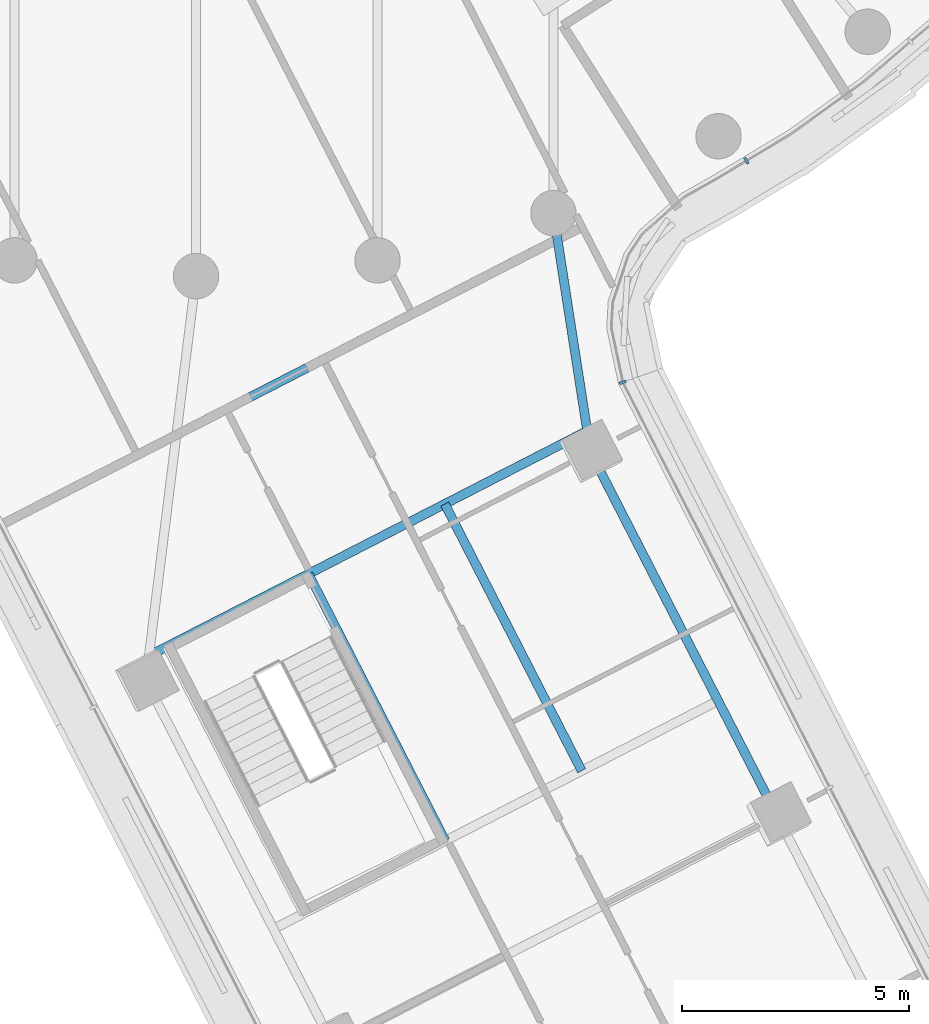
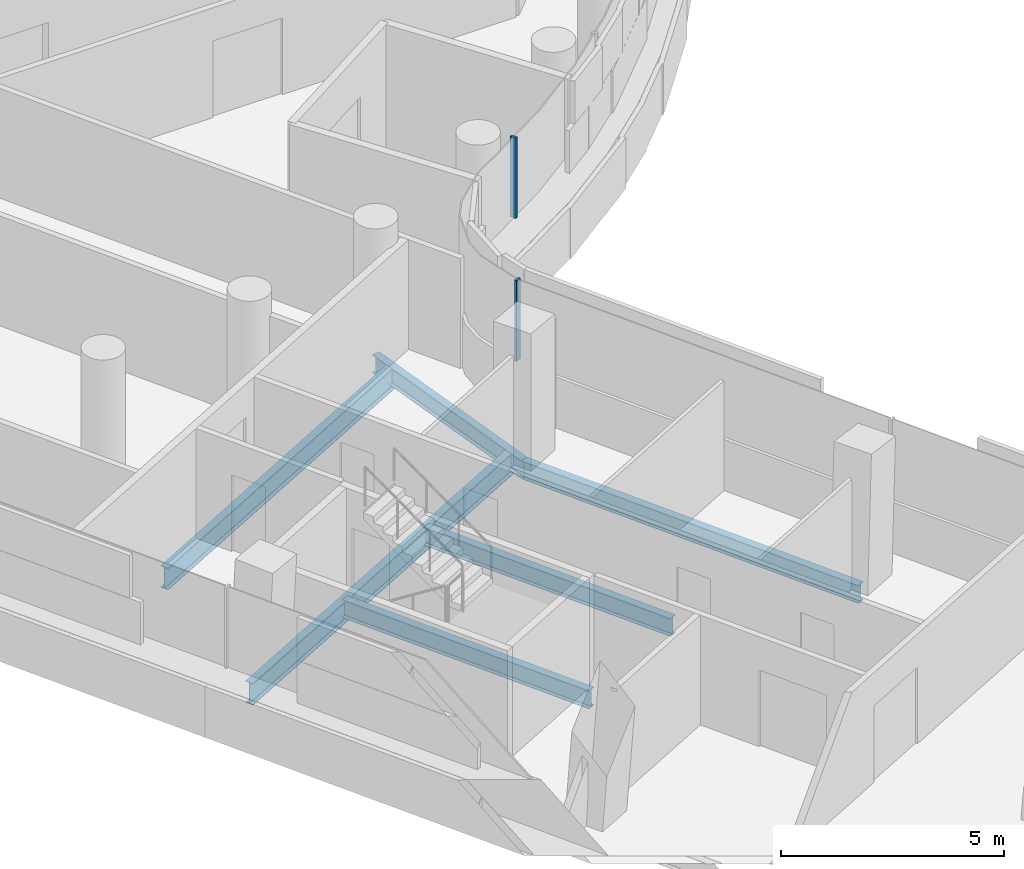
# One storey, part 6 of 37: 6 beams, 2 members, 1 element without a shape of its own.
"""IFC4 building model written with IfcOpenShell, lengths in metres."""

from ifc_helpers import new_model, si_unit, direction, frame, origin, origin_2d, place, context, subcontext, project, spatial, rectangle, i_section, extrude, material, layer, layer_set, material_profile, profile_set, type_object, element, aggregate, save


model = new_model("IFC4")

# Units and contexts
model_context = context("Model", 3, precision=1e-05, world=origin(), true_north=direction((0.0, 1.0)))
body_context = subcontext(model_context, "Body", "Model", "MODEL_VIEW")
ifc_project = project(units=[si_unit("LENGTHUNIT", "METRE"), si_unit("AREAUNIT", "SQUARE_METRE"), si_unit("VOLUMEUNIT", "CUBIC_METRE"), si_unit("PLANEANGLEUNIT", "RADIAN"), si_unit("MASSUNIT", "GRAM", prefix="KILO")], contexts=[model_context])

# Site, building, storey
site_placement = place(None, origin())
site = spatial("IfcSite", under=ifc_project, at=site_placement, CompositionType="ELEMENT")
building_placement = place(site_placement, origin())
building = spatial("IfcBuilding", under=site, at=building_placement, Name="Tamarind Cross Interchange Tower", CompositionType="ELEMENT")
storey_placement = place(building_placement, frame((0.0, 0.0, 133.0)))
storey = spatial("IfcBuildingStorey", under=building, at=storey_placement, Name="L32", CompositionType="ELEMENT", Elevation=133.0)

# Beams
ifc_material_1 = material(Name="Steel Q355B", Category="steel")
ifc_material_profile_1 = material_profile(ifc_material_1, i_section(OverallWidth=0.198974609375, OverallDepth=0.49609375, WebThickness=0.009033203125, FlangeThickness=0.013916015625, FilletRadius=0.012939453125, at=origin_2d()), Name="HN 496x199x9x14")
ifc_profile_set_1 = profile_set([ifc_material_profile_1], Name="Steel Q355B")
beam_type_1 = type_object("IfcBeamType", Name="Composite beam HN 496x199x9x14 Q355B", PredefinedType="BEAM", material=ifc_profile_set_1)
beam_1_placement = place(storey_placement, frame((12.791748046875, -34.880615234375, -0.387939453125), z_axis=(-0.456574921122, 0.889684967504, 0.0), x_axis=(-0.889684967504, -0.456574921122, 0.0)))
element("IfcBeam", 1, at=beam_1_placement, inside=storey, type_object=beam_type_1, Name="Beam S-edgeep3", PredefinedType="BEAM", context=body_context, shape_type="SweptSolid", body=[
    extrude(i_section(OverallWidth=0.198974609375, OverallDepth=0.49609375, WebThickness=0.009033203125, FlangeThickness=0.013916015625, FilletRadius=0.012939453125, at=origin_2d()), origin(), (0.0, 0.0, 1.0), 9.0),
])
beam_2_placement = place(storey_placement, frame((8.6826171875, -26.87353515625, -0.387939453125), z_axis=(-0.153314938206, 0.988177377662, 0.0), x_axis=(-0.988177377662, -0.153314938206, 0.0)))
element("IfcBeam", 2, at=beam_2_placement, inside=storey, type_object=beam_type_1, Name="Beam S-linkep", PredefinedType="BEAM", context=body_context, shape_type="SweptSolid", body=[
    extrude(i_section(OverallWidth=0.198974609375, OverallDepth=0.49609375, WebThickness=0.009033203125, FlangeThickness=0.013916015625, FilletRadius=0.012939453125, at=origin_2d()), origin(), (0.0, 0.0, 1.0), 5.323486328125),
])
beam_3_placement = place(storey_placement, frame((2.471923828125, -29.554931640625, -0.387939453125), z_axis=(0.456555452073, -0.889694958501, 0.0), x_axis=(0.889694958501, 0.456555452073, 0.0)))
element("IfcBeam", 3, at=beam_3_placement, inside=storey, type_object=beam_type_1, Name="Beam S-tr1", PredefinedType="BEAM", context=body_context, shape_type="SweptSolid", body=[
    extrude(i_section(OverallWidth=0.198974609375, OverallDepth=0.49609375, WebThickness=0.009033203125, FlangeThickness=0.013916015625, FilletRadius=0.012939453125, at=origin_2d()), origin(), (0.0, 0.0, 1.0), 6.599853515625),
])
beam_4_placement = place(storey_placement, frame((5.474609375, -28.013916015625, -0.387939453125), z_axis=(0.456540426528, -0.889702668843, 0.0), x_axis=(0.889702668843, 0.456540426528, 0.0)))
element("IfcBeam", 4, at=beam_4_placement, inside=storey, type_object=beam_type_1, Name="Beam S-stripp", PredefinedType="BEAM", context=body_context, shape_type="SweptSolid", body=[
    extrude(i_section(OverallWidth=0.198974609375, OverallDepth=0.49609375, WebThickness=0.009033203125, FlangeThickness=0.013916015625, FilletRadius=0.012939453125, at=origin_2d()), origin(), (0.0, 0.0, 1.0), 6.60009765625),
])
ifc_material_profile_2 = material_profile(ifc_material_1, i_section(OverallWidth=0.199951171875, OverallDepth=0.60009765625, WebThickness=0.010986328125, FlangeThickness=0.01708984375, FilletRadius=0.012939453125, at=origin_2d()), Name="HN 600x200x11x17")
ifc_profile_set_2 = profile_set([ifc_material_profile_2], Name="Steel Q355B")
beam_type_2 = type_object("IfcBeamType", Name="Composite beam HN 600x200x11x17 Q355B", PredefinedType="BEAM", material=ifc_profile_set_2)
beam_5_placement = place(storey_placement, frame((-1.036865234375, -31.355224609375, -0.43994140625), z_axis=(0.889703975373, 0.456537880363, 0.0), x_axis=(-0.456537880363, 0.889703975373, 0.0)))
element("IfcBeam", 5, at=beam_5_placement, inside=storey, type_object=beam_type_2, Name="Beam S-x298", PredefinedType="BEAM", context=body_context, shape_type="SweptSolid", body=[
    extrude(i_section(OverallWidth=0.199951171875, OverallDepth=0.60009765625, WebThickness=0.010986328125, FlangeThickness=0.01708984375, FilletRadius=0.012939453125, at=origin_2d()), origin(), (0.0, 0.0, 1.0), 10.843017578125),
])
beam_6_placement = place(storey_placement, frame((-0.43359375, -26.49365234375, -0.43994140625), z_axis=(0.88969181538, 0.456561577057, 0.0), x_axis=(-0.456561577057, 0.88969181538, 0.0)))
element("IfcBeam", 6, at=beam_6_placement, inside=storey, type_object=beam_type_2, Name="Beam S-x258", PredefinedType="BEAM", context=body_context, shape_type="SweptSolid", body=[
    extrude(i_section(OverallWidth=0.199951171875, OverallDepth=0.60009765625, WebThickness=0.010986328125, FlangeThickness=0.01708984375, FilletRadius=0.012939453125, at=origin_2d()), origin(), (0.0, 0.0, 1.0), 9.429443359375),
])

# Curtain wall, members
ifc_material_2 = material(Name="Aluminium 6063-T6", Category="aluminium")
ifc_layer = layer(ifc_material_2, 0.14990234375)
ifc_layer_set = layer_set([ifc_layer], Name="Aluminium 6063-T6")
curtain_wall_type = type_object("IfcCurtainWallType", Name="Winter garden and crown curtain wall", PredefinedType="NOTDEFINED", material=ifc_layer_set)
curtain_wall_placement = place(storey_placement, origin())
curtain_wall = element("IfcCurtainWall", 7, at=curtain_wall_placement, inside=storey, type_object=curtain_wall_type, Name="CWS-L32-06", PredefinedType="NOTDEFINED")
ifc_material_profile_3 = material_profile(ifc_material_2, rectangle(XDim=0.06005859375, YDim=0.14990234375, at=origin_2d()), Name="Mullion CW6")
ifc_profile_set_3 = profile_set([ifc_material_profile_3], Name="Aluminium 6063-T6")
member_type = type_object("IfcMemberType", Name="Mullion CW6", PredefinedType="MULLION", material=ifc_profile_set_3)
member_1_placement = place(storey_placement, frame((9.393310546875, -25.334716796875, 1.39990234375), z_axis=(0.0, 0.0, 1.0), x_axis=(-0.334090624951, 0.942540956309, 0.0)))
member_1 = element("IfcMember", 8, at=member_1_placement, type_object=member_type, Name="CWM-L32-06-00", PredefinedType="MULLION", context=body_context, shape_type="SweptSolid", body=[
    extrude(rectangle(XDim=0.06005859375, YDim=0.14990234375, at=origin_2d()), origin(), (0.0, 0.0, 1.0), 2.210205078125),
])
member_2_placement = place(storey_placement, frame((12.11328125, -20.458984375, 1.39990234375), z_axis=(0.0, 0.0, 1.0), x_axis=(0.856843065292, 0.515577308909, 0.0)))
member_2 = element("IfcMember", 9, at=member_2_placement, type_object=member_type, Name="CWM-L32-06-01", PredefinedType="MULLION", context=body_context, shape_type="SweptSolid", body=[
    extrude(rectangle(XDim=0.06005859375, YDim=0.14990234375, at=origin_2d()), origin(), (0.0, 0.0, 1.0), 2.210205078125),
])
aggregate(curtain_wall, [member_1, member_2])

save(model, "model.ifc")
